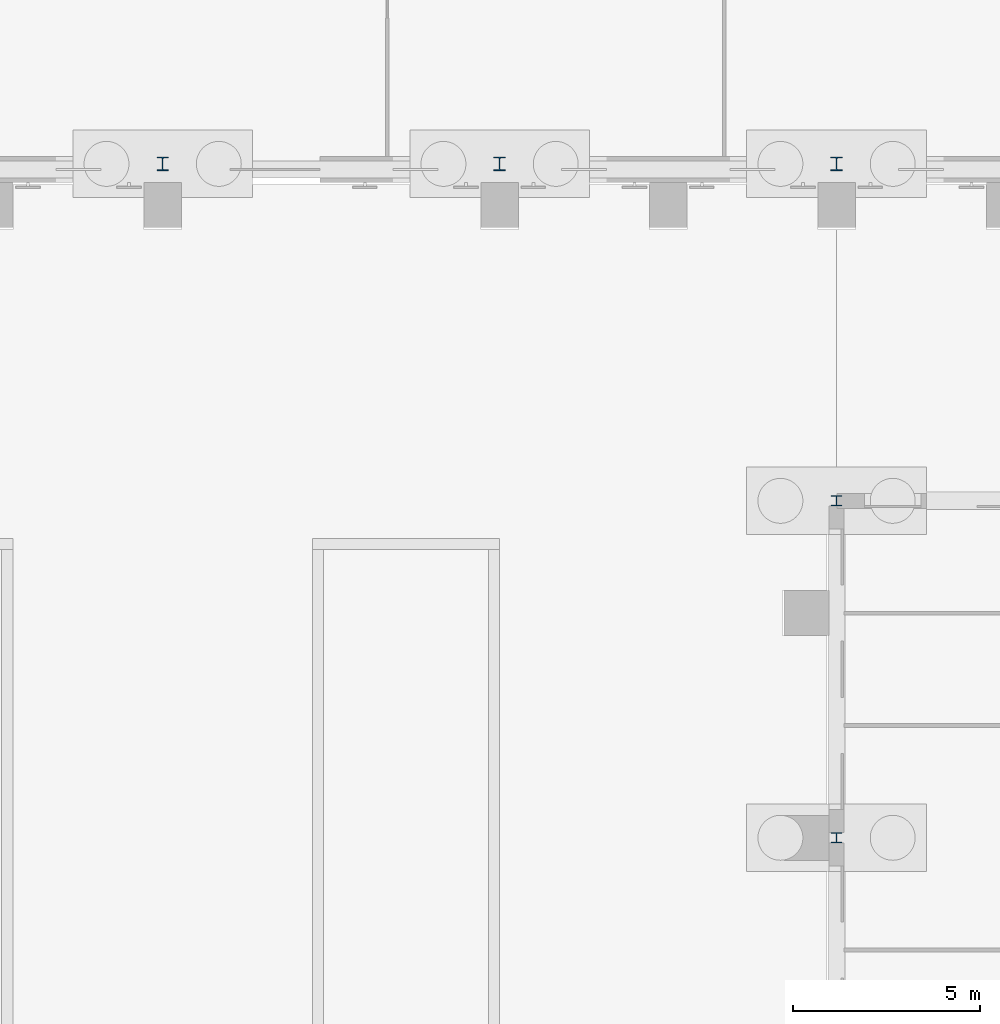
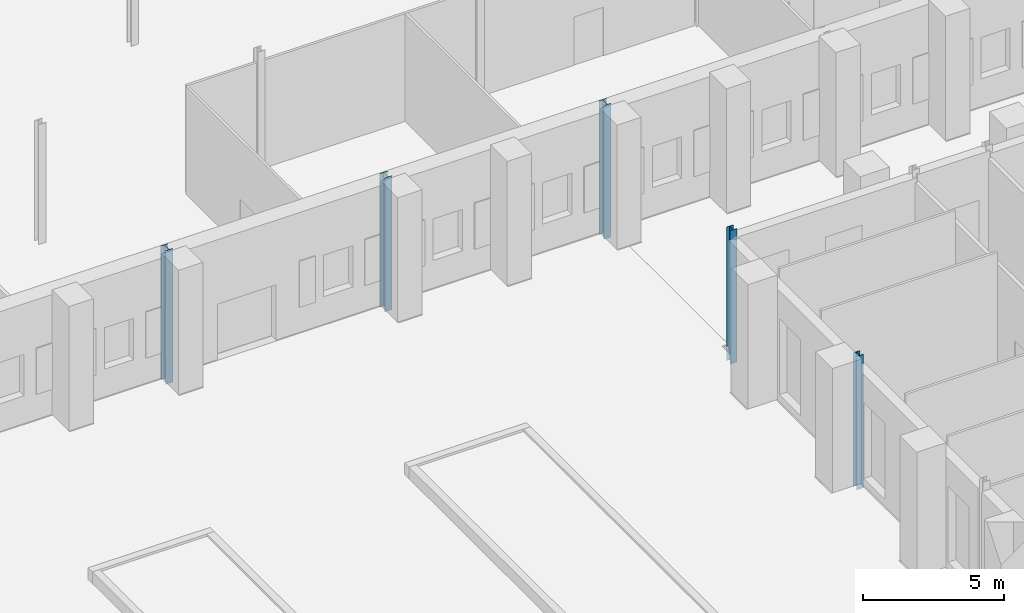
# One storey, part 30 of 168: 5 columns.
"""IFC4 building model written with IfcOpenShell, lengths in metres."""

from ifc_helpers import new_model, si_unit, direction, frame, origin, origin_2d, place, context, subcontext, project, spatial, i_section, extrude, material, material_profile, profile_set, type_object, element, save


model = new_model("IFC4")

# Units and contexts
model_context = context("Model", 3, precision=1e-05, world=origin(), true_north=direction((0.0, 1.0)))
body_context = subcontext(model_context, "Body", "Model", "MODEL_VIEW")
ifc_project = project(units=[si_unit("LENGTHUNIT", "METRE"), si_unit("AREAUNIT", "SQUARE_METRE"), si_unit("VOLUMEUNIT", "CUBIC_METRE"), si_unit("PLANEANGLEUNIT", "RADIAN"), si_unit("MASSUNIT", "GRAM", prefix="KILO")], contexts=[model_context])

# Site, building, storey
site_placement = place(None, origin())
site = spatial("IfcSite", under=ifc_project, at=site_placement, CompositionType="ELEMENT")
building_placement = place(site_placement, origin())
building = spatial("IfcBuilding", under=site, at=building_placement, Name="Golden Quay Civic Hall", CompositionType="ELEMENT")
storey_placement = place(building_placement, origin())
storey = spatial("IfcBuildingStorey", under=building, at=storey_placement, Name="L00", CompositionType="ELEMENT", Elevation=0.0)

# Columns
ifc_material_1 = material(Name="Steel S355", Category="steel")
ifc_material_profile_1 = material_profile(ifc_material_1, i_section(OverallWidth=0.280029296875, OverallDepth=0.27001953125, WebThickness=0.008056640625, FlangeThickness=0.012939453125, FilletRadius=0.02392578125, at=origin_2d()), Name="HEA 280")
ifc_profile_set_1 = profile_set([ifc_material_profile_1], Name="Steel S355")
column_type_1 = type_object("IfcColumnType", Name="Steel column HEA 280", PredefinedType="COLUMN", material=ifc_profile_set_1)
for number, where, z_axis, x_axis, name in (
    (1, (153.0, 45.0, -0.60009765625), (0.0, 0.0, 1.0), (1.0, 0.0, 0.0), "Column 153/45 L00"),
    (2, (153.0, 54.0, -0.60009765625), (0.0, 0.0, 1.0), (1.0, 0.0, 0.0), "Column 153/54 L00"),
):
    element("IfcColumn", number, at=place(storey_placement, frame(where, z_axis=z_axis, x_axis=x_axis)), inside=storey, type_object=column_type_1, Name=name, PredefinedType="COLUMN", context=body_context, shape_type="SweptSolid", body=[
        extrude(i_section(OverallWidth=0.280029296875, OverallDepth=0.27001953125, WebThickness=0.008056640625, FlangeThickness=0.012939453125, FilletRadius=0.02392578125, at=origin_2d()), origin(), (0.0, 0.0, 1.0), 5.800048828125),
    ])
ifc_material_2 = material(Name="Steel S355", Category="steel")
ifc_material_profile_2 = material_profile(ifc_material_2, i_section(OverallWidth=0.300048828125, OverallDepth=0.360107421875, WebThickness=0.012451171875, FlangeThickness=0.0224609375, FilletRadius=0.027099609375, at=origin_2d()), Name="HEB 360")
ifc_profile_set_2 = profile_set([ifc_material_profile_2], Name="Steel S355")
column_type_2 = type_object("IfcColumnType", Name="Steel column HEB 360", PredefinedType="COLUMN", material=ifc_profile_set_2)
for number, where, z_axis, x_axis, name in (
    (3, (135.0, 63.0, -0.60009765625), (0.0, 0.0, 1.0), (1.0, 0.0, 0.0), "L00 column 135/63"),
    (4, (144.0, 63.0, -0.60009765625), (0.0, 0.0, 1.0), (1.0, 0.0, 0.0), "L00 column 144/63"),
    (5, (153.0, 63.0, -0.60009765625), (0.0, 0.0, 1.0), (1.0, 0.0, 0.0), "L00 column 153/63"),
):
    element("IfcColumn", number, at=place(storey_placement, frame(where, z_axis=z_axis, x_axis=x_axis)), inside=storey, type_object=column_type_2, Name=name, PredefinedType="COLUMN", context=body_context, shape_type="SweptSolid", body=[
        extrude(i_section(OverallWidth=0.300048828125, OverallDepth=0.360107421875, WebThickness=0.012451171875, FlangeThickness=0.0224609375, FilletRadius=0.027099609375, at=origin_2d()), origin(), (0.0, 0.0, 1.0), 5.800048828125),
    ])

save(model, "model.ifc")
